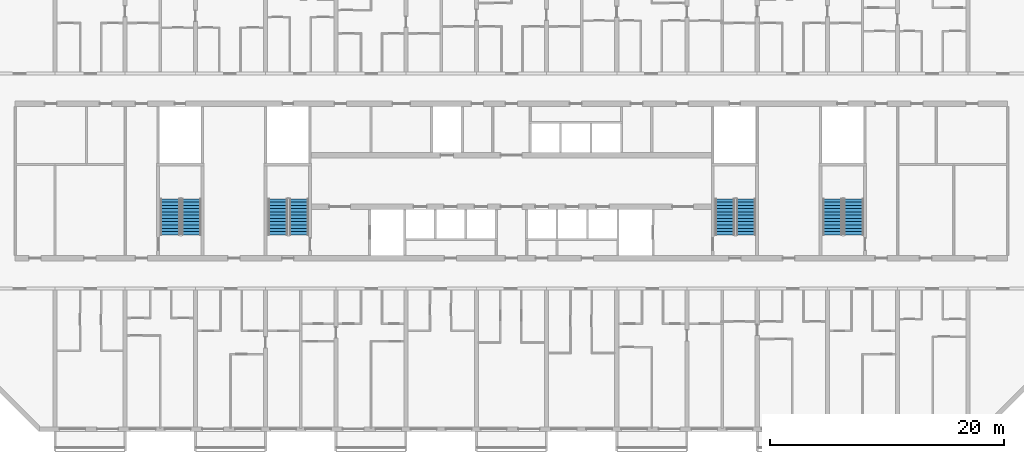
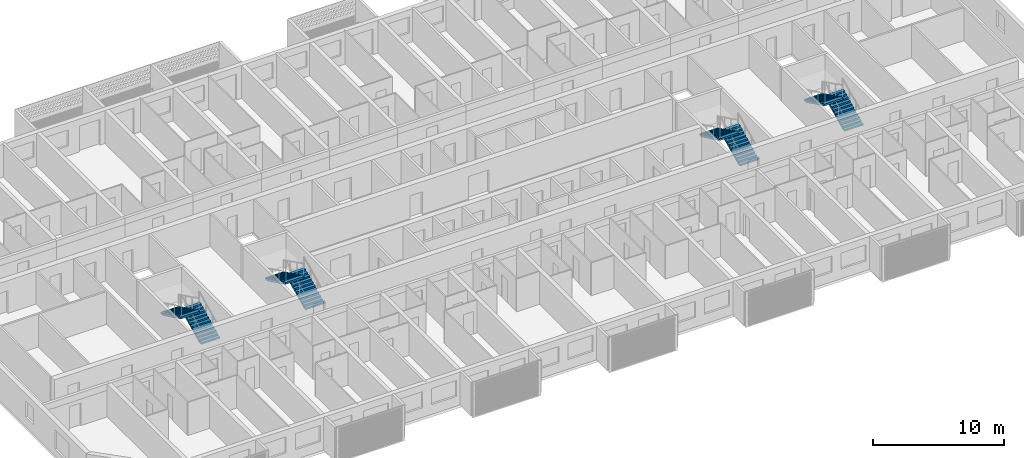
# One storey, part 17 of 25: 8 stair flights, 4 elements without a shape of their own.
"""IFC4 building model written with IfcOpenShell, lengths in metres."""

from ifc_helpers import new_model, si_unit, direction, frame, origin, place, context, subcontext, project, spatial, polyline, outline, extrude, material, layer, layer_set, type_object, element, aggregate, save


model = new_model("IFC4")

# Units and contexts
model_context = context("Model", 3, precision=1e-05, world=origin(), true_north=direction((0.0, 1.0)))
body_context = subcontext(model_context, "Body", "Model", "MODEL_VIEW")
ifc_project = project(units=[si_unit("LENGTHUNIT", "METRE"), si_unit("AREAUNIT", "SQUARE_METRE"), si_unit("VOLUMEUNIT", "CUBIC_METRE"), si_unit("PLANEANGLEUNIT", "RADIAN"), si_unit("MASSUNIT", "GRAM", prefix="KILO")], contexts=[model_context])

# Site, building, storey
site_placement = place(None, origin())
site = spatial("IfcSite", under=ifc_project, at=site_placement, CompositionType="ELEMENT")
building_placement = place(site_placement, origin())
building = spatial("IfcBuilding", under=site, at=building_placement, Name="Poui Terraces", CompositionType="ELEMENT")
storey_placement = place(building_placement, frame((0.0, 0.0, 89.39990234375)))
storey = spatial("IfcBuildingStorey", under=building, at=storey_placement, Name="L24", CompositionType="ELEMENT", Elevation=89.39990234375)

# Stair, stair flights
ifc_material = material(Name="Concrete 65 MPa", Category="concrete")
stair_type = type_object("IfcStairType", Name="EXIT STAIR 1650 65 MPA", PredefinedType="HALF_TURN_STAIR", material=ifc_material)
stair_1_placement = place(storey_placement, origin())
stair_1 = element("IfcStair", 1, at=stair_1_placement, inside=storey, type_object=stair_type, Name="L24 CORE STAIR EAST", PredefinedType="HALF_TURN_STAIR")
ifc_layer = layer(ifc_material, 0.14990234375)
ifc_layer_set = layer_set([ifc_layer], Name="Concrete 65 MPa")
stair_flight_type = type_object("IfcStairFlightType", Name="STAIR FLIGHT 12 RISERS 138 RISE 65 MPA", PredefinedType="STRAIGHT", material=ifc_layer_set)
stair_flight_1_placement = place(storey_placement, frame((71.050048828125, 16.60009765625, 0.0), z_axis=(0.0, 0.0, 1.0), x_axis=(0.0, 1.0, 0.0)))
stair_flight_1 = element("IfcStairFlight", 2, at=stair_flight_1_placement, type_object=stair_flight_type, Name="ST-CE flight 1", NumberOfRisers=12, NumberOfTreads=11, PredefinedType="STRAIGHT", RiserHeight=0.1375, TreadLength=0.28, context=body_context, shape_type="SweptSolid", body=[
    extrude(outline(polyline([(0.0, 0.0), (0.0, 0.137451171875), (0.280029296875, 0.137451171875), (0.280029296875, 0.27490234375), (0.56005859375, 0.27490234375), (0.56005859375, 0.41259765625), (0.840087890625, 0.41259765625), (0.840087890625, 0.550048828125), (1.1201171875, 0.550048828125), (1.1201171875, 0.6875), (1.39990234375, 0.6875), (1.39990234375, 0.824951171875), (1.679931640625, 0.824951171875), (1.679931640625, 0.96240234375), (1.9599609375, 0.96240234375), (1.9599609375, 1.10009765625), (2.239990234375, 1.10009765625), (2.239990234375, 1.237548828125), (2.52001953125, 1.237548828125), (2.52001953125, 1.375), (2.800048828125, 1.375), (2.800048828125, 1.512451171875), (3.080078125, 1.512451171875), (3.080078125, 1.64990234375), (3.080078125, 1.345458984375), (0.340087890625, 0.0), (0.0, 0.0)])), frame((0.0, 0.824951171875, 0.0), z_axis=(0.0, -1.0, 0.0), x_axis=(1.0, 0.0, 0.0)), (0.0, 0.0, 1.0), 1.64990234375),
])
stair_flight_2_placement = place(storey_placement, frame((69.25, 19.679931640625, 1.650146484375), z_axis=(0.0, 0.0, 1.0), x_axis=(0.0, -1.0, 0.0)))
stair_flight_2 = element("IfcStairFlight", 3, at=stair_flight_2_placement, type_object=stair_flight_type, Name="ST-CE flight 2", NumberOfRisers=12, NumberOfTreads=11, PredefinedType="STRAIGHT", RiserHeight=0.1375, TreadLength=0.28, context=body_context, shape_type="SweptSolid", body=[
    extrude(outline(polyline([(0.0, 0.0), (0.0, 0.137451171875), (0.280029296875, 0.137451171875), (0.280029296875, 0.27490234375), (0.56005859375, 0.27490234375), (0.56005859375, 0.41259765625), (0.840087890625, 0.41259765625), (0.840087890625, 0.550048828125), (1.1201171875, 0.550048828125), (1.1201171875, 0.6875), (1.39990234375, 0.6875), (1.39990234375, 0.824951171875), (1.679931640625, 0.824951171875), (1.679931640625, 0.96240234375), (1.9599609375, 0.96240234375), (1.9599609375, 1.10009765625), (2.239990234375, 1.10009765625), (2.239990234375, 1.237548828125), (2.52001953125, 1.237548828125), (2.52001953125, 1.375), (2.800048828125, 1.375), (2.800048828125, 1.512451171875), (3.080078125, 1.512451171875), (3.080078125, 1.64990234375), (3.080078125, 1.345458984375), (0.340087890625, 0.0), (0.0, 0.0)])), frame((0.0, 0.824951171875, 0.0), z_axis=(0.0, -1.0, 0.0), x_axis=(1.0, 0.0, 0.0)), (0.0, 0.0, 1.0), 1.64990234375),
])
aggregate(stair_1, [stair_flight_1, stair_flight_2])

stair_2_placement = place(storey_placement, origin())
stair_2 = element("IfcStair", 4, at=stair_2_placement, inside=storey, type_object=stair_type, Name="L24 CORE STAIR WEST", PredefinedType="HALF_TURN_STAIR")
stair_flight_3_placement = place(storey_placement, frame((32.85009765625, 16.60009765625, 0.0), z_axis=(0.0, 0.0, 1.0), x_axis=(0.0, 1.0, 0.0)))
stair_flight_3 = element("IfcStairFlight", 5, at=stair_flight_3_placement, type_object=stair_flight_type, Name="ST-CW flight 1", NumberOfRisers=12, NumberOfTreads=11, PredefinedType="STRAIGHT", RiserHeight=0.1375, TreadLength=0.28, context=body_context, shape_type="SweptSolid", body=[
    extrude(outline(polyline([(0.0, 0.0), (0.0, 0.137451171875), (0.280029296875, 0.137451171875), (0.280029296875, 0.27490234375), (0.56005859375, 0.27490234375), (0.56005859375, 0.41259765625), (0.840087890625, 0.41259765625), (0.840087890625, 0.550048828125), (1.1201171875, 0.550048828125), (1.1201171875, 0.6875), (1.39990234375, 0.6875), (1.39990234375, 0.824951171875), (1.679931640625, 0.824951171875), (1.679931640625, 0.96240234375), (1.9599609375, 0.96240234375), (1.9599609375, 1.10009765625), (2.239990234375, 1.10009765625), (2.239990234375, 1.237548828125), (2.52001953125, 1.237548828125), (2.52001953125, 1.375), (2.800048828125, 1.375), (2.800048828125, 1.512451171875), (3.080078125, 1.512451171875), (3.080078125, 1.64990234375), (3.080078125, 1.345458984375), (0.340087890625, 0.0), (0.0, 0.0)])), frame((0.0, 0.824951171875, 0.0), z_axis=(0.0, -1.0, 0.0), x_axis=(1.0, 0.0, 0.0)), (0.0, 0.0, 1.0), 1.64990234375),
])
stair_flight_4_placement = place(storey_placement, frame((31.050048828125, 19.679931640625, 1.650146484375), z_axis=(0.0, 0.0, 1.0), x_axis=(0.0, -1.0, 0.0)))
stair_flight_4 = element("IfcStairFlight", 6, at=stair_flight_4_placement, type_object=stair_flight_type, Name="ST-CW flight 2", NumberOfRisers=12, NumberOfTreads=11, PredefinedType="STRAIGHT", RiserHeight=0.1375, TreadLength=0.28, context=body_context, shape_type="SweptSolid", body=[
    extrude(outline(polyline([(0.0, 0.0), (0.0, 0.137451171875), (0.280029296875, 0.137451171875), (0.280029296875, 0.27490234375), (0.56005859375, 0.27490234375), (0.56005859375, 0.41259765625), (0.840087890625, 0.41259765625), (0.840087890625, 0.550048828125), (1.1201171875, 0.550048828125), (1.1201171875, 0.6875), (1.39990234375, 0.6875), (1.39990234375, 0.824951171875), (1.679931640625, 0.824951171875), (1.679931640625, 0.96240234375), (1.9599609375, 0.96240234375), (1.9599609375, 1.10009765625), (2.239990234375, 1.10009765625), (2.239990234375, 1.237548828125), (2.52001953125, 1.237548828125), (2.52001953125, 1.375), (2.800048828125, 1.375), (2.800048828125, 1.512451171875), (3.080078125, 1.512451171875), (3.080078125, 1.64990234375), (3.080078125, 1.345458984375), (0.340087890625, 0.0), (0.0, 0.0)])), frame((0.0, 0.824951171875, 0.0), z_axis=(0.0, -1.0, 0.0), x_axis=(1.0, 0.0, 0.0)), (0.0, 0.0, 1.0), 1.64990234375),
])
aggregate(stair_2, [stair_flight_3, stair_flight_4])

stair_3_placement = place(storey_placement, origin())
stair_3 = element("IfcStair", 7, at=stair_3_placement, inside=storey, type_object=stair_type, Name="L24 TIP STAIR EAST", PredefinedType="HALF_TURN_STAIR")
stair_flight_5_placement = place(storey_placement, frame((80.25, 16.60009765625, 0.0), z_axis=(0.0, 0.0, 1.0), x_axis=(0.0, 1.0, 0.0)))
stair_flight_5 = element("IfcStairFlight", 8, at=stair_flight_5_placement, type_object=stair_flight_type, Name="ST-E flight 1", NumberOfRisers=12, NumberOfTreads=11, PredefinedType="STRAIGHT", RiserHeight=0.1375, TreadLength=0.28, context=body_context, shape_type="SweptSolid", body=[
    extrude(outline(polyline([(0.0, 0.0), (0.0, 0.137451171875), (0.280029296875, 0.137451171875), (0.280029296875, 0.27490234375), (0.56005859375, 0.27490234375), (0.56005859375, 0.41259765625), (0.840087890625, 0.41259765625), (0.840087890625, 0.550048828125), (1.1201171875, 0.550048828125), (1.1201171875, 0.6875), (1.39990234375, 0.6875), (1.39990234375, 0.824951171875), (1.679931640625, 0.824951171875), (1.679931640625, 0.96240234375), (1.9599609375, 0.96240234375), (1.9599609375, 1.10009765625), (2.239990234375, 1.10009765625), (2.239990234375, 1.237548828125), (2.52001953125, 1.237548828125), (2.52001953125, 1.375), (2.800048828125, 1.375), (2.800048828125, 1.512451171875), (3.080078125, 1.512451171875), (3.080078125, 1.64990234375), (3.080078125, 1.345458984375), (0.340087890625, 0.0), (0.0, 0.0)])), frame((0.0, 0.824951171875, 0.0), z_axis=(0.0, -1.0, 0.0), x_axis=(1.0, 0.0, 0.0)), (0.0, 0.0, 1.0), 1.64990234375),
])
stair_flight_6_placement = place(storey_placement, frame((78.449951171875, 19.679931640625, 1.650146484375), z_axis=(0.0, 0.0, 1.0), x_axis=(0.0, -1.0, 0.0)))
stair_flight_6 = element("IfcStairFlight", 9, at=stair_flight_6_placement, type_object=stair_flight_type, Name="ST-E flight 2", NumberOfRisers=12, NumberOfTreads=11, PredefinedType="STRAIGHT", RiserHeight=0.1375, TreadLength=0.28, context=body_context, shape_type="SweptSolid", body=[
    extrude(outline(polyline([(0.0, 0.0), (0.0, 0.137451171875), (0.280029296875, 0.137451171875), (0.280029296875, 0.27490234375), (0.56005859375, 0.27490234375), (0.56005859375, 0.41259765625), (0.840087890625, 0.41259765625), (0.840087890625, 0.550048828125), (1.1201171875, 0.550048828125), (1.1201171875, 0.6875), (1.39990234375, 0.6875), (1.39990234375, 0.824951171875), (1.679931640625, 0.824951171875), (1.679931640625, 0.96240234375), (1.9599609375, 0.96240234375), (1.9599609375, 1.10009765625), (2.239990234375, 1.10009765625), (2.239990234375, 1.237548828125), (2.52001953125, 1.237548828125), (2.52001953125, 1.375), (2.800048828125, 1.375), (2.800048828125, 1.512451171875), (3.080078125, 1.512451171875), (3.080078125, 1.64990234375), (3.080078125, 1.345458984375), (0.340087890625, 0.0), (0.0, 0.0)])), frame((0.0, 0.824951171875, 0.0), z_axis=(0.0, -1.0, 0.0), x_axis=(1.0, 0.0, 0.0)), (0.0, 0.0, 1.0), 1.64990234375),
])
aggregate(stair_3, [stair_flight_5, stair_flight_6])

stair_4_placement = place(storey_placement, origin())
stair_4 = element("IfcStair", 10, at=stair_4_placement, inside=storey, type_object=stair_type, Name="L24 TIP STAIR WEST", PredefinedType="HALF_TURN_STAIR")
stair_flight_7_placement = place(storey_placement, frame((23.64990234375, 16.60009765625, 0.0), z_axis=(0.0, 0.0, 1.0), x_axis=(0.0, 1.0, 0.0)))
stair_flight_7 = element("IfcStairFlight", 11, at=stair_flight_7_placement, type_object=stair_flight_type, Name="ST-W flight 1", NumberOfRisers=12, NumberOfTreads=11, PredefinedType="STRAIGHT", RiserHeight=0.1375, TreadLength=0.28, context=body_context, shape_type="SweptSolid", body=[
    extrude(outline(polyline([(0.0, 0.0), (0.0, 0.137451171875), (0.280029296875, 0.137451171875), (0.280029296875, 0.27490234375), (0.56005859375, 0.27490234375), (0.56005859375, 0.41259765625), (0.840087890625, 0.41259765625), (0.840087890625, 0.550048828125), (1.1201171875, 0.550048828125), (1.1201171875, 0.6875), (1.39990234375, 0.6875), (1.39990234375, 0.824951171875), (1.679931640625, 0.824951171875), (1.679931640625, 0.96240234375), (1.9599609375, 0.96240234375), (1.9599609375, 1.10009765625), (2.239990234375, 1.10009765625), (2.239990234375, 1.237548828125), (2.52001953125, 1.237548828125), (2.52001953125, 1.375), (2.800048828125, 1.375), (2.800048828125, 1.512451171875), (3.080078125, 1.512451171875), (3.080078125, 1.64990234375), (3.080078125, 1.345458984375), (0.340087890625, 0.0), (0.0, 0.0)])), frame((0.0, 0.824951171875, 0.0), z_axis=(0.0, -1.0, 0.0), x_axis=(1.0, 0.0, 0.0)), (0.0, 0.0, 1.0), 1.64990234375),
])
stair_flight_8_placement = place(storey_placement, frame((21.85009765625, 19.679931640625, 1.650146484375), z_axis=(0.0, 0.0, 1.0), x_axis=(0.0, -1.0, 0.0)))
stair_flight_8 = element("IfcStairFlight", 12, at=stair_flight_8_placement, type_object=stair_flight_type, Name="ST-W flight 2", NumberOfRisers=12, NumberOfTreads=11, PredefinedType="STRAIGHT", RiserHeight=0.1375, TreadLength=0.28, context=body_context, shape_type="SweptSolid", body=[
    extrude(outline(polyline([(0.0, 0.0), (0.0, 0.137451171875), (0.280029296875, 0.137451171875), (0.280029296875, 0.27490234375), (0.56005859375, 0.27490234375), (0.56005859375, 0.41259765625), (0.840087890625, 0.41259765625), (0.840087890625, 0.550048828125), (1.1201171875, 0.550048828125), (1.1201171875, 0.6875), (1.39990234375, 0.6875), (1.39990234375, 0.824951171875), (1.679931640625, 0.824951171875), (1.679931640625, 0.96240234375), (1.9599609375, 0.96240234375), (1.9599609375, 1.10009765625), (2.239990234375, 1.10009765625), (2.239990234375, 1.237548828125), (2.52001953125, 1.237548828125), (2.52001953125, 1.375), (2.800048828125, 1.375), (2.800048828125, 1.512451171875), (3.080078125, 1.512451171875), (3.080078125, 1.64990234375), (3.080078125, 1.345458984375), (0.340087890625, 0.0), (0.0, 0.0)])), frame((0.0, 0.824951171875, 0.0), z_axis=(0.0, -1.0, 0.0), x_axis=(1.0, 0.0, 0.0)), (0.0, 0.0, 1.0), 1.64990234375),
])
aggregate(stair_4, [stair_flight_7, stair_flight_8])

save(model, "model.ifc")
